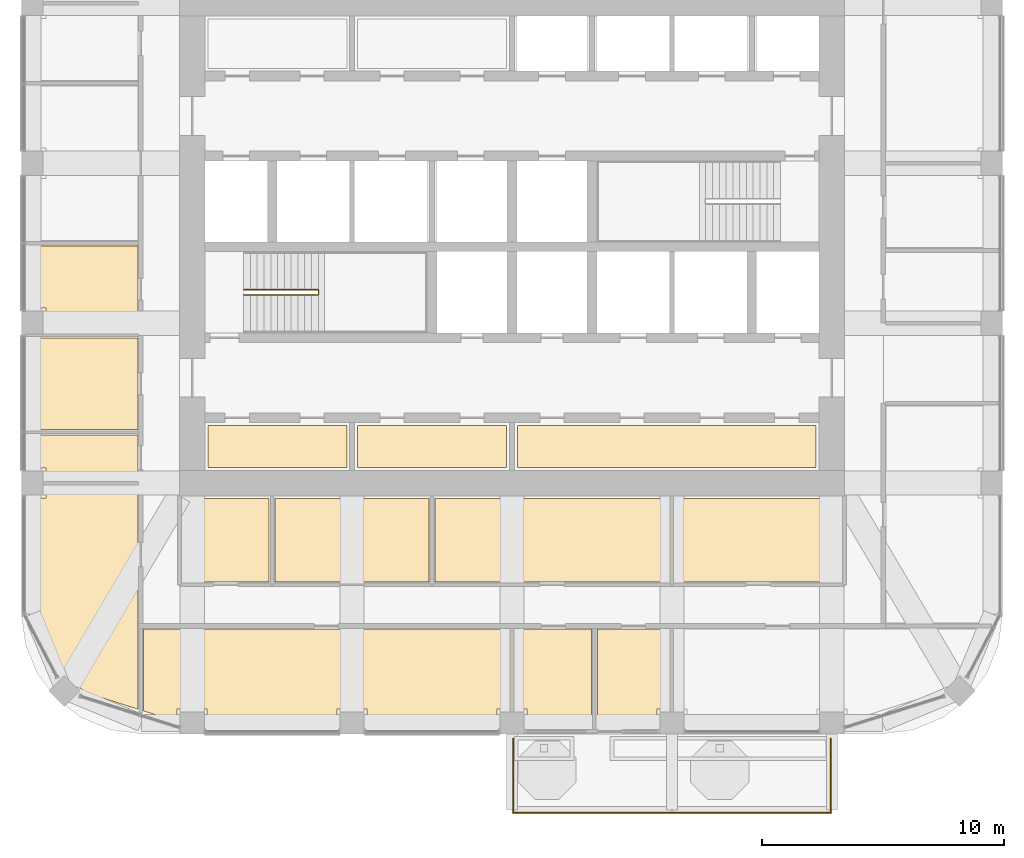
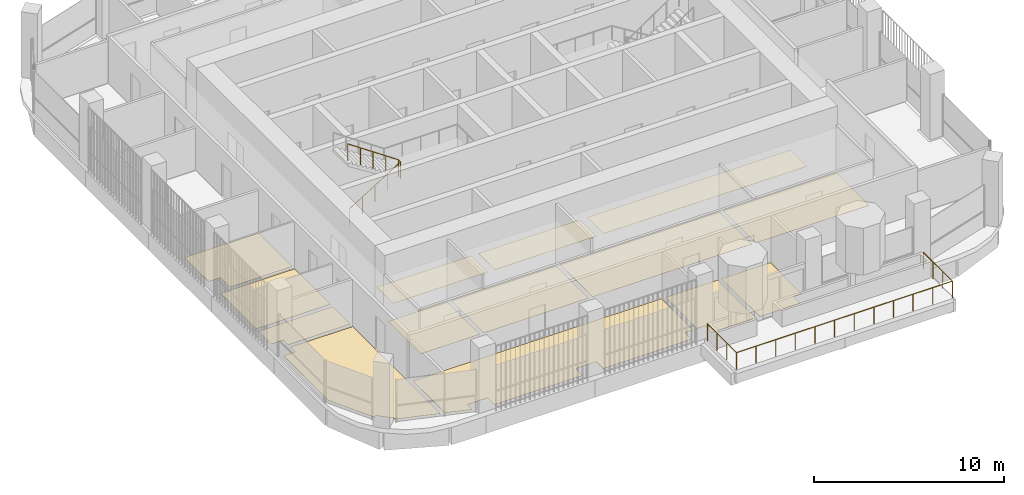
# One storey, part 18 of 21: 14 coverings, 2 railings.
"""IFC4 building model written with IfcOpenShell, lengths in metres."""

from ifc_helpers import new_model, si_unit, direction, frame, origin, place, context, subcontext, project, spatial, polyline, outline, extrude, material, layer, layer_set, type_object, element, save


model = new_model("IFC4")

# Units and contexts
model_context = context("Model", 3, precision=1e-05, world=origin(), true_north=direction((0.0, 1.0)))
body_context = subcontext(model_context, "Body", "Model", "MODEL_VIEW")
ifc_project = project(units=[si_unit("LENGTHUNIT", "METRE"), si_unit("AREAUNIT", "SQUARE_METRE"), si_unit("VOLUMEUNIT", "CUBIC_METRE"), si_unit("PLANEANGLEUNIT", "RADIAN"), si_unit("MASSUNIT", "GRAM", prefix="KILO")], contexts=[model_context])

# Site, building, storey
site_placement = place(None, origin())
site = spatial("IfcSite", under=ifc_project, at=site_placement, CompositionType="ELEMENT")
building_placement = place(site_placement, origin())
building = spatial("IfcBuilding", under=site, at=building_placement, Name="Cobogo Forest Laboratory Tower", CompositionType="ELEMENT")
storey_placement = place(building_placement, frame((0.0, 0.0, 267.0)))
storey = spatial("IfcBuildingStorey", under=building, at=storey_placement, Name="L61", CompositionType="ELEMENT", Elevation=267.0)

# Railing
ifc_material_1 = material(Name="Laminated glass balustrade", Category="glass")
railing_type_1 = type_object("IfcRailingType", Name="BG1 glass balustrade 1100", PredefinedType="GUARDRAIL", material=ifc_material_1)
railing_1_placement = place(storey_placement, frame((26.449951171875, 2.64990234375, 0.0)))
element("IfcRailing", 1, at=railing_1_placement, inside=storey, type_object=railing_type_1, Name="Balcony balustrade BAL-S1 L61", PredefinedType="GUARDRAIL", context=body_context, shape_type="SweptSolid", body=[
    extrude(outline(polyline([(0.022216796875, 0.00927734375), (0.00927734375, 0.022216796875), (-0.00927734375, 0.022216796875), (-0.022216796875, 0.00927734375), (-0.022216796875, -0.00927734375), (-0.00927734375, -0.022216796875), (0.00927734375, -0.022216796875), (0.022216796875, -0.00927734375), (0.022216796875, 0.00927734375)])), frame((0.0, 0.0, 1.077880859375), z_axis=(0.0, -1.0, 0.0), x_axis=(1.0, 0.0, 0.0)), (0.0, 0.0, 1.0), 3.0498046875),
    extrude(outline(polyline([(0.022216796875, 0.00927734375), (0.00927734375, 0.022216796875), (-0.00927734375, 0.022216796875), (-0.022216796875, 0.00927734375), (-0.022216796875, -0.00927734375), (-0.00927734375, -0.022216796875), (0.00927734375, -0.022216796875), (0.022216796875, -0.00927734375), (0.022216796875, 0.00927734375)])), frame((0.0, -3.0498046875, 1.077880859375), z_axis=(1.0, 0.0, 0.0), x_axis=(0.0, 1.0, 0.0)), (0.0, 0.0, 1.0), 13.10009765625),
    extrude(outline(polyline([(0.022216796875, 0.00927734375), (0.00927734375, 0.022216796875), (-0.00927734375, 0.022216796875), (-0.022216796875, 0.00927734375), (-0.022216796875, -0.00927734375), (-0.00927734375, -0.022216796875), (0.00927734375, -0.022216796875), (0.022216796875, -0.00927734375), (0.022216796875, 0.00927734375)])), frame((13.10009765625, -3.0498046875, 1.077880859375), z_axis=(0.0, 1.0, 0.0), x_axis=(-1.0, 0.0, 0.0)), (0.0, 0.0, 1.0), 3.0498046875),
    extrude(outline(polyline([(0.019287109375, 0.008056640625), (0.008056640625, 0.019287109375), (-0.008056640625, 0.019287109375), (-0.019287109375, 0.008056640625), (-0.019287109375, -0.008056640625), (-0.008056640625, -0.019287109375), (0.008056640625, -0.019287109375), (0.019287109375, -0.008056640625), (0.019287109375, 0.008056640625)])), origin(), (0.0, 0.0, 1.0), 1.077880859375),
    extrude(outline(polyline([(0.019287109375, 0.008056640625), (0.008056640625, 0.019287109375), (-0.008056640625, 0.019287109375), (-0.019287109375, 0.008056640625), (-0.019287109375, -0.008056640625), (-0.008056640625, -0.019287109375), (0.008056640625, -0.019287109375), (0.019287109375, -0.008056640625), (0.019287109375, 0.008056640625)])), frame((0.0, -1.0166015625, 0.0)), (0.0, 0.0, 1.0), 1.077880859375),
    extrude(outline(polyline([(0.019287109375, 0.008056640625), (0.008056640625, 0.019287109375), (-0.008056640625, 0.019287109375), (-0.019287109375, 0.008056640625), (-0.019287109375, -0.008056640625), (-0.008056640625, -0.019287109375), (0.008056640625, -0.019287109375), (0.019287109375, -0.008056640625), (0.019287109375, 0.008056640625)])), frame((0.0, -2.033203125, 0.0)), (0.0, 0.0, 1.0), 1.077880859375),
    extrude(outline(polyline([(0.019287109375, 0.008056640625), (0.008056640625, 0.019287109375), (-0.008056640625, 0.019287109375), (-0.019287109375, 0.008056640625), (-0.019287109375, -0.008056640625), (-0.008056640625, -0.019287109375), (0.008056640625, -0.019287109375), (0.019287109375, -0.008056640625), (0.019287109375, 0.008056640625)])), frame((0.0, -3.0498046875, 0.0)), (0.0, 0.0, 1.0), 1.077880859375),
    extrude(outline(polyline([(0.019287109375, 0.008056640625), (0.008056640625, 0.019287109375), (-0.008056640625, 0.019287109375), (-0.019287109375, 0.008056640625), (-0.019287109375, -0.008056640625), (-0.008056640625, -0.019287109375), (0.008056640625, -0.019287109375), (0.019287109375, -0.008056640625), (0.019287109375, 0.008056640625)])), frame((1.19091796875, -3.0498046875, 0.0)), (0.0, 0.0, 1.0), 1.077880859375),
    extrude(outline(polyline([(0.019287109375, 0.008056640625), (0.008056640625, 0.019287109375), (-0.008056640625, 0.019287109375), (-0.019287109375, 0.008056640625), (-0.019287109375, -0.008056640625), (-0.008056640625, -0.019287109375), (0.008056640625, -0.019287109375), (0.019287109375, -0.008056640625), (0.019287109375, 0.008056640625)])), frame((2.3818359375, -3.0498046875, 0.0)), (0.0, 0.0, 1.0), 1.077880859375),
    extrude(outline(polyline([(0.019287109375, 0.008056640625), (0.008056640625, 0.019287109375), (-0.008056640625, 0.019287109375), (-0.019287109375, 0.008056640625), (-0.019287109375, -0.008056640625), (-0.008056640625, -0.019287109375), (0.008056640625, -0.019287109375), (0.019287109375, -0.008056640625), (0.019287109375, 0.008056640625)])), frame((3.57275390625, -3.0498046875, 0.0)), (0.0, 0.0, 1.0), 1.077880859375),
    extrude(outline(polyline([(0.019287109375, 0.008056640625), (0.008056640625, 0.019287109375), (-0.008056640625, 0.019287109375), (-0.019287109375, 0.008056640625), (-0.019287109375, -0.008056640625), (-0.008056640625, -0.019287109375), (0.008056640625, -0.019287109375), (0.019287109375, -0.008056640625), (0.019287109375, 0.008056640625)])), frame((4.763671875, -3.0498046875, 0.0)), (0.0, 0.0, 1.0), 1.077880859375),
    extrude(outline(polyline([(0.019287109375, 0.008056640625), (0.008056640625, 0.019287109375), (-0.008056640625, 0.019287109375), (-0.019287109375, 0.008056640625), (-0.019287109375, -0.008056640625), (-0.008056640625, -0.019287109375), (0.008056640625, -0.019287109375), (0.019287109375, -0.008056640625), (0.019287109375, 0.008056640625)])), frame((5.95458984375, -3.0498046875, 0.0)), (0.0, 0.0, 1.0), 1.077880859375),
    extrude(outline(polyline([(0.019287109375, 0.008056640625), (0.008056640625, 0.019287109375), (-0.008056640625, 0.019287109375), (-0.019287109375, 0.008056640625), (-0.019287109375, -0.008056640625), (-0.008056640625, -0.019287109375), (0.008056640625, -0.019287109375), (0.019287109375, -0.008056640625), (0.019287109375, 0.008056640625)])), frame((7.1455078125, -3.0498046875, 0.0)), (0.0, 0.0, 1.0), 1.077880859375),
    extrude(outline(polyline([(0.019287109375, 0.008056640625), (0.008056640625, 0.019287109375), (-0.008056640625, 0.019287109375), (-0.019287109375, 0.008056640625), (-0.019287109375, -0.008056640625), (-0.008056640625, -0.019287109375), (0.008056640625, -0.019287109375), (0.019287109375, -0.008056640625), (0.019287109375, 0.008056640625)])), frame((8.33642578125, -3.0498046875, 0.0)), (0.0, 0.0, 1.0), 1.077880859375),
    extrude(outline(polyline([(0.019287109375, 0.008056640625), (0.008056640625, 0.019287109375), (-0.008056640625, 0.019287109375), (-0.019287109375, 0.008056640625), (-0.019287109375, -0.008056640625), (-0.008056640625, -0.019287109375), (0.008056640625, -0.019287109375), (0.019287109375, -0.008056640625), (0.019287109375, 0.008056640625)])), frame((9.52734375, -3.0498046875, 0.0)), (0.0, 0.0, 1.0), 1.077880859375),
    extrude(outline(polyline([(0.019287109375, 0.008056640625), (0.008056640625, 0.019287109375), (-0.008056640625, 0.019287109375), (-0.019287109375, 0.008056640625), (-0.019287109375, -0.008056640625), (-0.008056640625, -0.019287109375), (0.008056640625, -0.019287109375), (0.019287109375, -0.008056640625), (0.019287109375, 0.008056640625)])), frame((10.71826171875, -3.0498046875, 0.0)), (0.0, 0.0, 1.0), 1.077880859375),
    extrude(outline(polyline([(0.019287109375, 0.008056640625), (0.008056640625, 0.019287109375), (-0.008056640625, 0.019287109375), (-0.019287109375, 0.008056640625), (-0.019287109375, -0.008056640625), (-0.008056640625, -0.019287109375), (0.008056640625, -0.019287109375), (0.019287109375, -0.008056640625), (0.019287109375, 0.008056640625)])), frame((11.9091796875, -3.0498046875, 0.0)), (0.0, 0.0, 1.0), 1.077880859375),
    extrude(outline(polyline([(0.019287109375, 0.008056640625), (0.008056640625, 0.019287109375), (-0.008056640625, 0.019287109375), (-0.019287109375, 0.008056640625), (-0.019287109375, -0.008056640625), (-0.008056640625, -0.019287109375), (0.008056640625, -0.019287109375), (0.019287109375, -0.008056640625), (0.019287109375, 0.008056640625)])), frame((13.10009765625, -3.0498046875, 0.0)), (0.0, 0.0, 1.0), 1.077880859375),
    extrude(outline(polyline([(0.019287109375, 0.008056640625), (0.008056640625, 0.019287109375), (-0.008056640625, 0.019287109375), (-0.019287109375, 0.008056640625), (-0.019287109375, -0.008056640625), (-0.008056640625, -0.019287109375), (0.008056640625, -0.019287109375), (0.019287109375, -0.008056640625), (0.019287109375, 0.008056640625)])), frame((13.10009765625, -2.033203125, 0.0)), (0.0, 0.0, 1.0), 1.077880859375),
    extrude(outline(polyline([(0.019287109375, 0.008056640625), (0.008056640625, 0.019287109375), (-0.008056640625, 0.019287109375), (-0.019287109375, 0.008056640625), (-0.019287109375, -0.008056640625), (-0.008056640625, -0.019287109375), (0.008056640625, -0.019287109375), (0.019287109375, -0.008056640625), (0.019287109375, 0.008056640625)])), frame((13.10009765625, -1.0166015625, 0.0)), (0.0, 0.0, 1.0), 1.077880859375),
    extrude(outline(polyline([(0.019287109375, 0.008056640625), (0.008056640625, 0.019287109375), (-0.008056640625, 0.019287109375), (-0.019287109375, 0.008056640625), (-0.019287109375, -0.008056640625), (-0.008056640625, -0.019287109375), (0.008056640625, -0.019287109375), (0.019287109375, -0.008056640625), (0.019287109375, 0.008056640625)])), frame((13.10009765625, 0.0, 0.0)), (0.0, 0.0, 1.0), 1.077880859375),
])

# Coverings
ifc_material_2 = material(Name="Carpet tile on raised access floor", Category="flooring")
ifc_layer_1 = layer(ifc_material_2, 0.008056640625)
ifc_layer_set_1 = layer_set([ifc_layer_1], Name="CT1 carpet tile floor 8")
covering_type_1 = type_object("IfcCoveringType", Name="CT1 carpet tile floor 8", PredefinedType="FLOORING", material=ifc_layer_set_1)
covering_1_placement = place(storey_placement, origin())
element("IfcCovering", 2, at=covering_1_placement, inside=storey, type_object=covering_type_1, Name="Carpet floor L61-05", PredefinedType="FLOORING", context=body_context, shape_type="SweptSolid", body=[
    extrude(outline(polyline([(16.3798828125, 9.1201171875), (12.794921875, 9.1201171875), (12.794921875, 12.554931640625), (16.3798828125, 12.554931640625), (16.3798828125, 9.1201171875)])), origin(), (0.0, 0.0, 1.0), 0.008056640625),
])
covering_2_placement = place(storey_placement, origin())
element("IfcCovering", 3, at=covering_2_placement, inside=storey, type_object=covering_type_1, Name="Carpet floor L61-06", PredefinedType="FLOORING", context=body_context, shape_type="SweptSolid", body=[
    extrude(outline(polyline([(22.97998046875, 9.1201171875), (16.6201171875, 9.1201171875), (16.6201171875, 12.554931640625), (22.97998046875, 12.554931640625), (22.97998046875, 9.1201171875)])), origin(), (0.0, 0.0, 1.0), 0.008056640625),
])
covering_3_placement = place(storey_placement, origin())
element("IfcCovering", 4, at=covering_3_placement, inside=storey, type_object=covering_type_1, Name="Carpet floor L61-07", PredefinedType="FLOORING", context=body_context, shape_type="SweptSolid", body=[
    extrude(outline(polyline([(32.8798828125, 9.1201171875), (23.219970703125, 9.1201171875), (23.219970703125, 12.554931640625), (32.8798828125, 12.554931640625), (32.8798828125, 9.1201171875)])), origin(), (0.0, 0.0, 1.0), 0.008056640625),
])
covering_4_placement = place(storey_placement, origin())
element("IfcCovering", 5, at=covering_4_placement, inside=storey, type_object=covering_type_1, Name="Carpet floor L61-08", PredefinedType="FLOORING", context=body_context, shape_type="SweptSolid", body=[
    extrude(outline(polyline([(40.0048828125, 9.1201171875), (33.1201171875, 9.1201171875), (33.1201171875, 12.554931640625), (40.0048828125, 12.554931640625), (40.0048828125, 9.1201171875)])), origin(), (0.0, 0.0, 1.0), 0.008056640625),
])
covering_5_placement = place(storey_placement, origin())
element("IfcCovering", 6, at=covering_5_placement, inside=storey, type_object=covering_type_1, Name="Carpet floor L61-09", PredefinedType="FLOORING", context=body_context, shape_type="SweptSolid", body=[
    extrude(outline(polyline([(26.280029296875, 7.179931640625), (26.280029296875, 3.8701171875), (25.780029296875, 3.8701171875), (25.780029296875, 3.14990234375), (20.419921875, 3.14990234375), (20.419921875, 3.8701171875), (19.179931640625, 3.8701171875), (19.179931640625, 3.14990234375), (13.820068359375, 3.14990234375), (13.820068359375, 3.8701171875), (12.580078125, 3.8701171875), (12.580078125, 3.35546875), (11.195068359375, 3.79296875), (11.195068359375, 7.179931640625), (26.280029296875, 7.179931640625)])), origin(), (0.0, 0.0, 1.0), 0.008056640625),
])
covering_6_placement = place(storey_placement, origin())
element("IfcCovering", 7, at=covering_6_placement, inside=storey, type_object=covering_type_1, Name="Carpet floor L61-10", PredefinedType="FLOORING", context=body_context, shape_type="SweptSolid", body=[
    extrude(outline(polyline([(29.679931640625, 7.179931640625), (29.679931640625, 3.14990234375), (27.02001953125, 3.14990234375), (27.02001953125, 3.8701171875), (26.52001953125, 3.8701171875), (26.52001953125, 7.179931640625), (29.679931640625, 7.179931640625)])), origin(), (0.0, 0.0, 1.0), 0.008056640625),
])
covering_7_placement = place(storey_placement, origin())
element("IfcCovering", 8, at=covering_7_placement, inside=storey, type_object=covering_type_1, Name="Carpet floor L61-22", PredefinedType="FLOORING", context=body_context, shape_type="SweptSolid", body=[
    extrude(outline(polyline([(8.68994140625, 4.583984375), (8.72412109375, 4.617919921875), (7.91796875, 5.424072265625), (7.788818359375, 5.294921875), (6.449951171875, 7.84912109375), (6.449951171875, 12.580078125), (7.169921875, 12.580078125), (7.169921875, 13.080078125), (10.955078125, 13.080078125), (10.955078125, 3.86865234375), (8.68994140625, 4.583984375)])), origin(), (0.0, 0.0, 1.0), 0.008056640625),
])
covering_8_placement = place(storey_placement, origin())
element("IfcCovering", 9, at=covering_8_placement, inside=storey, type_object=covering_type_1, Name="Carpet floor L61-36", PredefinedType="FLOORING", context=body_context, shape_type="SweptSolid", body=[
    extrude(outline(polyline([(19.580078125, 13.844970703125), (13.844970703125, 13.844970703125), (13.844970703125, 15.580078125), (19.580078125, 15.580078125), (19.580078125, 13.844970703125)])), origin(), (0.0, 0.0, 1.0), 0.008056640625),
])
covering_9_placement = place(storey_placement, origin())
element("IfcCovering", 10, at=covering_9_placement, inside=storey, type_object=covering_type_1, Name="Carpet floor L61-37", PredefinedType="FLOORING", context=body_context, shape_type="SweptSolid", body=[
    extrude(outline(polyline([(26.179931640625, 13.844970703125), (20.02001953125, 13.844970703125), (20.02001953125, 15.580078125), (26.179931640625, 15.580078125), (26.179931640625, 13.844970703125)])), origin(), (0.0, 0.0, 1.0), 0.008056640625),
])
covering_10_placement = place(storey_placement, origin())
element("IfcCovering", 11, at=covering_10_placement, inside=storey, type_object=covering_type_1, Name="Carpet floor L61-38", PredefinedType="FLOORING", context=body_context, shape_type="SweptSolid", body=[
    extrude(outline(polyline([(38.955078125, 13.844970703125), (26.6201171875, 13.844970703125), (26.6201171875, 15.580078125), (38.955078125, 15.580078125), (38.955078125, 13.844970703125)])), origin(), (0.0, 0.0, 1.0), 0.008056640625),
])

# Railing
ifc_material_3 = material(Name="Steel balustrade", Category="steel")
railing_type_2 = type_object("IfcRailingType", Name="GR stair guard 1100", PredefinedType="GUARDRAIL", material=ifc_material_3)
railing_2_placement = place(storey_placement, frame((15.324951171875, 20.969970703125, 0.175048828125)))
element("IfcRailing", 12, at=railing_2_placement, inside=storey, type_object=railing_type_2, Name="Stair guard ST1 L61", PredefinedType="GUARDRAIL", context=body_context, shape_type="SweptSolid", body=[
    extrude(outline(polyline([(0.022216796875, 0.00927734375), (0.00927734375, 0.022216796875), (-0.00927734375, 0.022216796875), (-0.022216796875, 0.00927734375), (-0.022216796875, -0.00927734375), (-0.00927734375, -0.022216796875), (0.00927734375, -0.022216796875), (0.022216796875, -0.00927734375), (0.022216796875, 0.00927734375)])), frame((0.0, 0.0, 1.077880859375), z_axis=(0.847998304005, 0.0, 0.529998940003), x_axis=(0.0, 1.0, 0.0)), (0.0, 0.0, 1.0), 3.632080078125),
    extrude(outline(polyline([(0.022216796875, 0.00927734375), (0.00927734375, 0.022216796875), (-0.00927734375, 0.022216796875), (-0.022216796875, 0.00927734375), (-0.022216796875, -0.00927734375), (-0.00927734375, -0.022216796875), (0.00927734375, -0.022216796875), (0.022216796875, -0.00927734375), (0.022216796875, 0.00927734375)])), frame((3.080078125, 0.0, 3.0029296875), z_axis=(0.0, 1.0, 0.0), x_axis=(-1.0, 0.0, 0.0)), (0.0, 0.0, 1.0), 0.2099609375),
    extrude(outline(polyline([(0.022216796875, 0.00927734375), (0.00927734375, 0.022216796875), (-0.00927734375, 0.022216796875), (-0.022216796875, 0.00927734375), (-0.022216796875, -0.00927734375), (-0.00927734375, -0.022216796875), (0.00927734375, -0.022216796875), (0.022216796875, -0.00927734375), (0.022216796875, 0.00927734375)])), frame((3.080078125, 0.2099609375, 3.0029296875), z_axis=(-0.826252282691, 0.0, 0.563300244406), x_axis=(0.0, -1.0, 0.0)), (0.0, 0.0, 1.0), 3.727783203125),
    extrude(outline(polyline([(0.019287109375, 0.008056640625), (0.008056640625, 0.019287109375), (-0.008056640625, 0.019287109375), (-0.019287109375, 0.008056640625), (-0.019287109375, -0.008056640625), (-0.008056640625, -0.019287109375), (0.008056640625, -0.019287109375), (0.019287109375, -0.008056640625), (0.019287109375, 0.008056640625)])), origin(), (0.0, 0.0, 1.0), 1.077880859375),
    extrude(outline(polyline([(0.019287109375, 0.008056640625), (0.008056640625, 0.019287109375), (-0.008056640625, 0.019287109375), (-0.019287109375, 0.008056640625), (-0.019287109375, -0.008056640625), (-0.008056640625, -0.019287109375), (0.008056640625, -0.019287109375), (0.019287109375, -0.008056640625), (0.019287109375, 0.008056640625)])), frame((0.77001953125, 0.0, 0.481201171875)), (0.0, 0.0, 1.0), 1.077880859375),
    extrude(outline(polyline([(0.019287109375, 0.008056640625), (0.008056640625, 0.019287109375), (-0.008056640625, 0.019287109375), (-0.019287109375, 0.008056640625), (-0.019287109375, -0.008056640625), (-0.008056640625, -0.019287109375), (0.008056640625, -0.019287109375), (0.019287109375, -0.008056640625), (0.019287109375, 0.008056640625)])), frame((1.5400390625, 0.0, 0.96240234375)), (0.0, 0.0, 1.0), 1.077880859375),
    extrude(outline(polyline([(0.019287109375, 0.008056640625), (0.008056640625, 0.019287109375), (-0.008056640625, 0.019287109375), (-0.019287109375, 0.008056640625), (-0.019287109375, -0.008056640625), (-0.008056640625, -0.019287109375), (0.008056640625, -0.019287109375), (0.019287109375, -0.008056640625), (0.019287109375, 0.008056640625)])), frame((2.31005859375, 0.0, 1.44384765625)), (0.0, 0.0, 1.0), 1.077880859375),
    extrude(outline(polyline([(0.019287109375, 0.008056640625), (0.008056640625, 0.019287109375), (-0.008056640625, 0.019287109375), (-0.019287109375, 0.008056640625), (-0.019287109375, -0.008056640625), (-0.008056640625, -0.019287109375), (0.008056640625, -0.019287109375), (0.019287109375, -0.008056640625), (0.019287109375, 0.008056640625)])), frame((3.080078125, 0.0, 1.925048828125)), (0.0, 0.0, 1.0), 1.077880859375),
    extrude(outline(polyline([(0.019287109375, 0.008056640625), (0.008056640625, 0.019287109375), (-0.008056640625, 0.019287109375), (-0.019287109375, 0.008056640625), (-0.019287109375, -0.008056640625), (-0.008056640625, -0.019287109375), (0.008056640625, -0.019287109375), (0.019287109375, -0.008056640625), (0.019287109375, 0.008056640625)])), frame((3.080078125, 0.2099609375, 1.925048828125)), (0.0, 0.0, 1.0), 1.077880859375),
    extrude(outline(polyline([(0.019287109375, 0.008056640625), (0.008056640625, 0.019287109375), (-0.008056640625, 0.019287109375), (-0.019287109375, 0.008056640625), (-0.019287109375, -0.008056640625), (-0.008056640625, -0.019287109375), (0.008056640625, -0.019287109375), (0.019287109375, -0.008056640625), (0.019287109375, 0.008056640625)])), frame((2.31005859375, 0.2099609375, 2.449951171875)), (0.0, 0.0, 1.0), 1.077880859375),
    extrude(outline(polyline([(0.019287109375, 0.008056640625), (0.008056640625, 0.019287109375), (-0.008056640625, 0.019287109375), (-0.019287109375, 0.008056640625), (-0.019287109375, -0.008056640625), (-0.008056640625, -0.019287109375), (0.008056640625, -0.019287109375), (0.019287109375, -0.008056640625), (0.019287109375, 0.008056640625)])), frame((1.5400390625, 0.2099609375, 2.97509765625)), (0.0, 0.0, 1.0), 1.077880859375),
    extrude(outline(polyline([(0.019287109375, 0.008056640625), (0.008056640625, 0.019287109375), (-0.008056640625, 0.019287109375), (-0.019287109375, 0.008056640625), (-0.019287109375, -0.008056640625), (-0.008056640625, -0.019287109375), (0.008056640625, -0.019287109375), (0.019287109375, -0.008056640625), (0.019287109375, 0.008056640625)])), frame((0.77001953125, 0.2099609375, 3.5)), (0.0, 0.0, 1.0), 1.077880859375),
    extrude(outline(polyline([(0.019287109375, 0.008056640625), (0.008056640625, 0.019287109375), (-0.008056640625, 0.019287109375), (-0.019287109375, 0.008056640625), (-0.019287109375, -0.008056640625), (-0.008056640625, -0.019287109375), (0.008056640625, -0.019287109375), (0.019287109375, -0.008056640625), (0.019287109375, 0.008056640625)])), frame((0.0, 0.2099609375, 4.02490234375)), (0.0, 0.0, 1.0), 1.077880859375),
])

# Coverings
ifc_material_4 = material(Name="Ceramic floor tile", Category="flooring")
ifc_layer_2 = layer(ifc_material_4, 0.010009765625)
ifc_layer_set_2 = layer_set([ifc_layer_2], Name="TF1 ceramic tile floor 10")
covering_type_2 = type_object("IfcCoveringType", Name="TF1 ceramic tile floor 10", PredefinedType="FLOORING", material=ifc_layer_set_2)
covering_11_placement = place(storey_placement, origin())
element("IfcCovering", 13, at=covering_11_placement, inside=storey, type_object=covering_type_2, Name="Tile floor L61-11", PredefinedType="FLOORING", context=body_context, shape_type="SweptSolid", body=[
    extrude(outline(polyline([(32.8798828125, 7.179931640625), (32.8798828125, 3.8701171875), (32.3798828125, 3.8701171875), (32.3798828125, 3.14990234375), (29.919921875, 3.14990234375), (29.919921875, 7.179931640625), (32.8798828125, 7.179931640625)])), origin(), (0.0, 0.0, 1.0), 0.010009765625),
])
covering_12_placement = place(storey_placement, origin())
element("IfcCovering", 14, at=covering_12_placement, inside=storey, type_object=covering_type_2, Name="Tile floor L61-23", PredefinedType="FLOORING", context=body_context, shape_type="SweptSolid", body=[
    extrude(outline(polyline([(10.955078125, 13.320068359375), (7.169921875, 13.320068359375), (7.169921875, 13.820068359375), (6.449951171875, 13.820068359375), (6.449951171875, 15.179931640625), (10.955078125, 15.179931640625), (10.955078125, 13.320068359375)])), origin(), (0.0, 0.0, 1.0), 0.010009765625),
])
covering_13_placement = place(storey_placement, origin())
element("IfcCovering", 15, at=covering_13_placement, inside=storey, type_object=covering_type_2, Name="Tile floor L61-24", PredefinedType="FLOORING", context=body_context, shape_type="SweptSolid", body=[
    extrude(outline(polyline([(10.955078125, 15.419921875), (6.449951171875, 15.419921875), (6.449951171875, 19.179931640625), (10.955078125, 19.179931640625), (10.955078125, 15.419921875)])), origin(), (0.0, 0.0, 1.0), 0.010009765625),
])
covering_14_placement = place(storey_placement, origin())
element("IfcCovering", 16, at=covering_14_placement, inside=storey, type_object=covering_type_2, Name="Tile floor L61-25", PredefinedType="FLOORING", context=body_context, shape_type="SweptSolid", body=[
    extrude(outline(polyline([(10.955078125, 19.419921875), (7.169921875, 19.419921875), (7.169921875, 20.419921875), (6.449951171875, 20.419921875), (6.449951171875, 22.97998046875), (10.955078125, 22.97998046875), (10.955078125, 19.419921875)])), origin(), (0.0, 0.0, 1.0), 0.010009765625),
])

save(model, "model.ifc")
